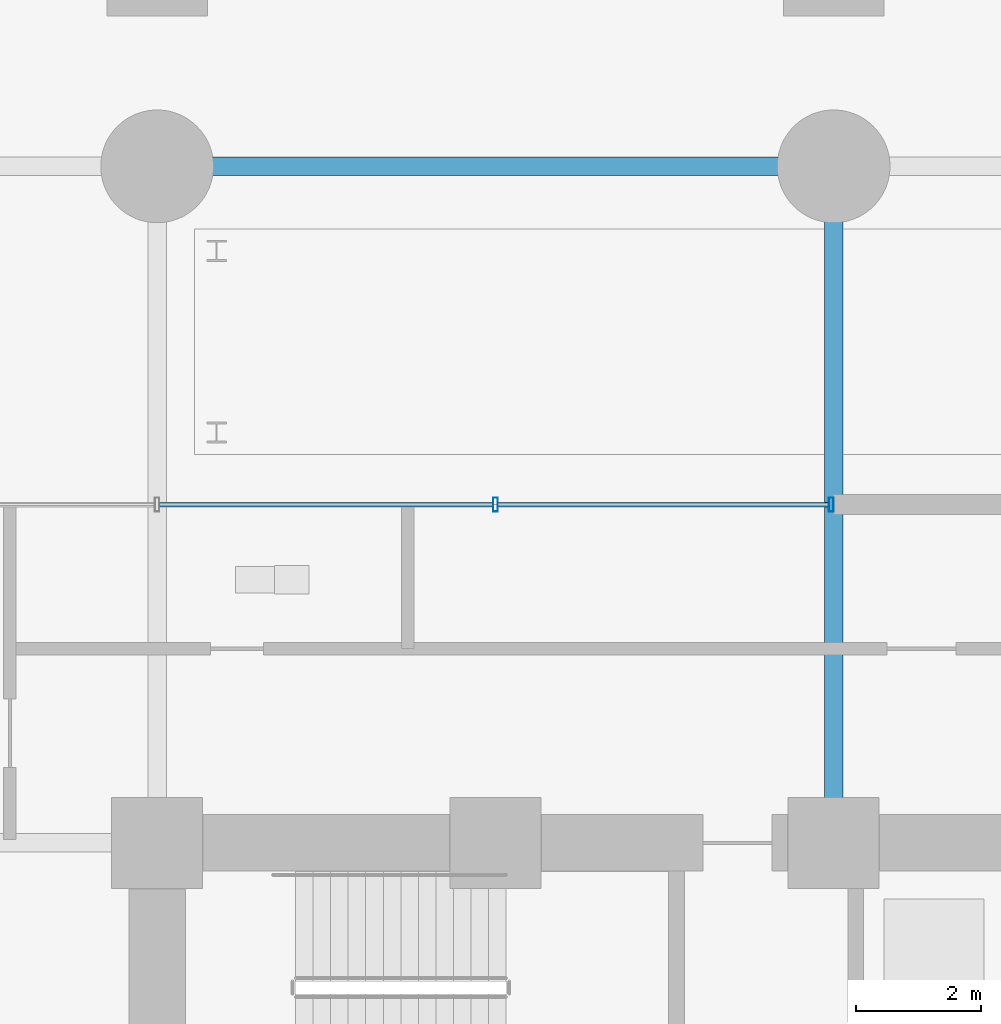
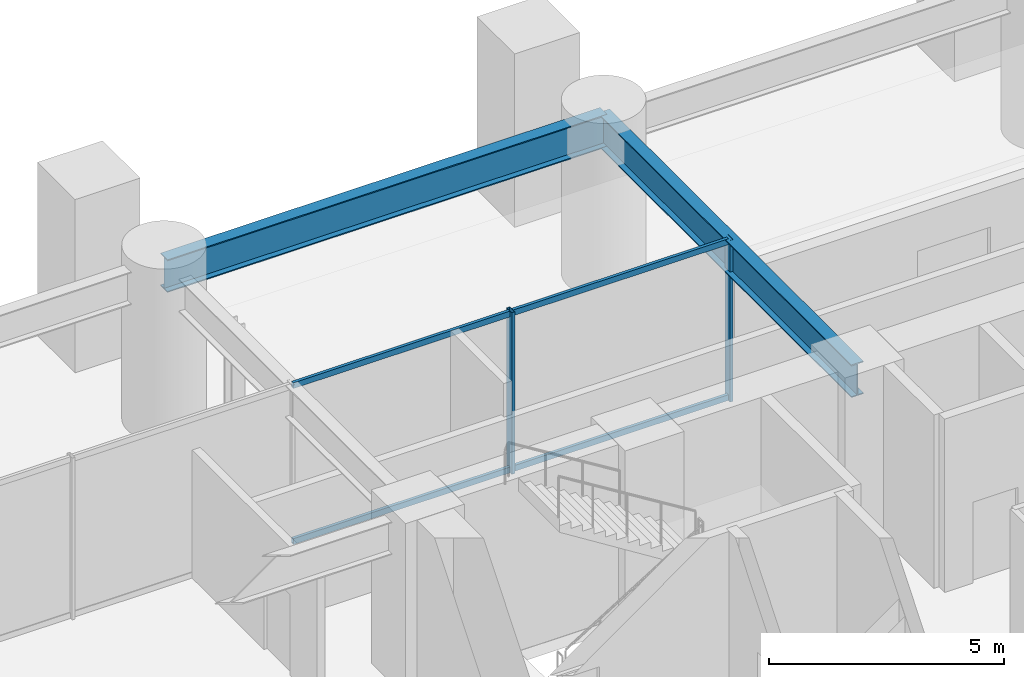
# One storey, part 15 of 29: 6 members, 2 beams, 1 element without a shape of its own.
"""IFC4 building model written with IfcOpenShell, lengths in metres."""

from ifc_helpers import new_model, si_unit, direction, frame, origin, origin_2d, place, context, subcontext, project, spatial, hollow_rectangle, i_section, extrude, material, layer, layer_set, material_profile, profile_set, type_object, element, aggregate, save


model = new_model("IFC4")

# Units and contexts
model_context = context("Model", 3, precision=1e-05, world=origin(), true_north=direction((0.0, 1.0)))
body_context = subcontext(model_context, "Body", "Model", "MODEL_VIEW")
ifc_project = project(units=[si_unit("LENGTHUNIT", "METRE"), si_unit("AREAUNIT", "SQUARE_METRE"), si_unit("VOLUMEUNIT", "CUBIC_METRE"), si_unit("PLANEANGLEUNIT", "RADIAN"), si_unit("MASSUNIT", "GRAM", prefix="KILO")], contexts=[model_context])

# Site, building, storey
site_placement = place(None, origin())
site = spatial("IfcSite", under=ifc_project, at=site_placement, CompositionType="ELEMENT")
building_placement = place(site_placement, origin())
building = spatial("IfcBuilding", under=site, at=building_placement, Name="Surkhivell Harbour Commons", CompositionType="ELEMENT")
storey_placement = place(building_placement, origin())
storey = spatial("IfcBuildingStorey", under=building, at=storey_placement, Name="L00", CompositionType="ELEMENT", Elevation=0.0)

# Beams
ifc_material_1 = material(Name="Steel S460", Category="steel")
ifc_material_profile_1 = material_profile(ifc_material_1, i_section(OverallWidth=0.2939453125, OverallDepth=0.85107421875, WebThickness=0.01611328125, FlangeThickness=0.02685546875, at=origin_2d()), Name="UB838x292x226")
ifc_profile_set_1 = profile_set([ifc_material_profile_1], Name="Steel S460")
beam_type = type_object("IfcBeamType", Name="BM-SPN-838", PredefinedType="SPANDREL", material=ifc_profile_set_1)
for number, where, z_axis, x_axis, name in (
    (1, (-10.800048828125, 21.60009765625, 3.7744140625), (1.0, 0.0, 0.0), (0.0, 1.0, 0.0), "L00 Framing Beam (-10.8,21.6)"),
    (2, (0.0, 10.800048828125, 3.7744140625), (0.0, 1.0, 0.0), (-1.0, 0.0, 0.0), "L00 Framing Beam (0.0,10.8)"),
):
    element("IfcBeam", number, at=place(storey_placement, frame(where, z_axis=z_axis, x_axis=x_axis)), inside=storey, type_object=beam_type, Name=name, PredefinedType="SPANDREL", context=body_context, shape_type="SweptSolid", body=[
        extrude(i_section(OverallWidth=0.2939453125, OverallDepth=0.85107421875, WebThickness=0.01611328125, FlangeThickness=0.02685546875, at=origin_2d()), origin(), (0.0, 0.0, 1.0), 10.800048828125),
    ])

# Curtain wall, members
ifc_material_2 = material(Name="Anodised pale-metal aluminium and insulated glazing", Category="aluminium")
ifc_layer = layer(ifc_material_2, 0.239990234375)
ifc_layer_set = layer_set([ifc_layer], Name="Anodised pale-metal aluminium and insulated glazing")
curtain_wall_type = type_object("IfcCurtainWallType", Name="CW-SYS-POD", PredefinedType="NOTDEFINED", material=ifc_layer_set)
curtain_wall_placement = place(storey_placement, origin())
curtain_wall = element("IfcCurtainWall", 3, at=curtain_wall_placement, inside=storey, type_object=curtain_wall_type, Name="L00 Curtain Wall CW-L00-P03", PredefinedType="NOTDEFINED")
ifc_material_3 = material(Name="Anodised pale-metal aluminium alloy 6063-T6", Category="aluminium")
ifc_material_profile_2 = material_profile(ifc_material_3, hollow_rectangle(XDim=0.074951171875, YDim=0.219970703125, WallThickness=0.00390625, at=origin_2d()), Name="ALU-MULL-75x220")
ifc_profile_set_2 = profile_set([ifc_material_profile_2], Name="Anodised pale-metal aluminium alloy 6063-T6")
member_type_1 = type_object("IfcMemberType", Name="CWM-220", PredefinedType="MULLION", material=ifc_profile_set_2)
member_1_placement = place(storey_placement, frame((-5.39990234375, 16.199951171875, 0.0), z_axis=(0.0, 0.0, 1.0), x_axis=(1.0, 0.0, 0.0)))
member_1 = element("IfcMember", 4, at=member_1_placement, type_object=member_type_1, Name="CW-POD mullion 4", PredefinedType="MULLION", context=body_context, shape_type="SweptSolid", body=[
    extrude(hollow_rectangle(XDim=0.074951171875, YDim=0.219970703125, WallThickness=0.00390625, at=origin_2d()), origin(), (0.0, 0.0, 1.0), 4.199951171875),
])
member_2_placement = place(storey_placement, frame((-0.03759765625, 16.199951171875, 0.0), z_axis=(0.0, 0.0, 1.0), x_axis=(1.0, 0.0, 0.0)))
member_2 = element("IfcMember", 5, at=member_2_placement, type_object=member_type_1, Name="CW-POD mullion 5", PredefinedType="MULLION", context=body_context, shape_type="SweptSolid", body=[
    extrude(hollow_rectangle(XDim=0.074951171875, YDim=0.219970703125, WallThickness=0.00390625, at=origin_2d()), origin(), (0.0, 0.0, 1.0), 4.199951171875),
])
ifc_material_profile_3 = material_profile(ifc_material_3, hollow_rectangle(XDim=0.074951171875, YDim=0.14990234375, WallThickness=0.00341796875, at=origin_2d()), Name="ALU-TRAN-75x150")
ifc_profile_set_3 = profile_set([ifc_material_profile_3], Name="Anodised pale-metal aluminium alloy 6063-T6")
member_type_2 = type_object("IfcMemberType", Name="CWT-150", PredefinedType="USERDEFINED", material=ifc_profile_set_3)
member_3_placement = place(storey_placement, frame((-10.762451171875, 16.199951171875, 0.074951171875), z_axis=(1.0, 0.0, 0.0), x_axis=(0.0, 1.0, 0.0)))
member_3 = element("IfcMember", 6, at=member_3_placement, type_object=member_type_2, Name="CW-POD transom 3.1", ObjectType="TRANSOM", PredefinedType="USERDEFINED", context=body_context, shape_type="SweptSolid", body=[
    extrude(hollow_rectangle(XDim=0.074951171875, YDim=0.14990234375, WallThickness=0.00341796875, at=origin_2d()), origin(), (0.0, 0.0, 1.0), 5.324951171875),
])
member_4_placement = place(storey_placement, frame((-10.762451171875, 16.199951171875, 4.125), z_axis=(1.0, 0.0, 0.0), x_axis=(0.0, 1.0, 0.0)))
member_4 = element("IfcMember", 7, at=member_4_placement, type_object=member_type_2, Name="CW-POD transom 3.2", ObjectType="TRANSOM", PredefinedType="USERDEFINED", context=body_context, shape_type="SweptSolid", body=[
    extrude(hollow_rectangle(XDim=0.074951171875, YDim=0.14990234375, WallThickness=0.00341796875, at=origin_2d()), origin(), (0.0, 0.0, 1.0), 5.324951171875),
])
member_5_placement = place(storey_placement, frame((-5.362548828125, 16.199951171875, 0.074951171875), z_axis=(1.0, 0.0, 0.0), x_axis=(0.0, 1.0, 0.0)))
member_5 = element("IfcMember", 8, at=member_5_placement, type_object=member_type_2, Name="CW-POD transom 4.1", ObjectType="TRANSOM", PredefinedType="USERDEFINED", context=body_context, shape_type="SweptSolid", body=[
    extrude(hollow_rectangle(XDim=0.074951171875, YDim=0.14990234375, WallThickness=0.00341796875, at=origin_2d()), origin(), (0.0, 0.0, 1.0), 5.28759765625),
])
member_6_placement = place(storey_placement, frame((-5.362548828125, 16.199951171875, 4.125), z_axis=(1.0, 0.0, 0.0), x_axis=(0.0, 1.0, 0.0)))
member_6 = element("IfcMember", 9, at=member_6_placement, type_object=member_type_2, Name="CW-POD transom 4.2", ObjectType="TRANSOM", PredefinedType="USERDEFINED", context=body_context, shape_type="SweptSolid", body=[
    extrude(hollow_rectangle(XDim=0.074951171875, YDim=0.14990234375, WallThickness=0.00341796875, at=origin_2d()), origin(), (0.0, 0.0, 1.0), 5.28759765625),
])
aggregate(curtain_wall, [member_1, member_2, member_3, member_4, member_5, member_6])

save(model, "model.ifc")
